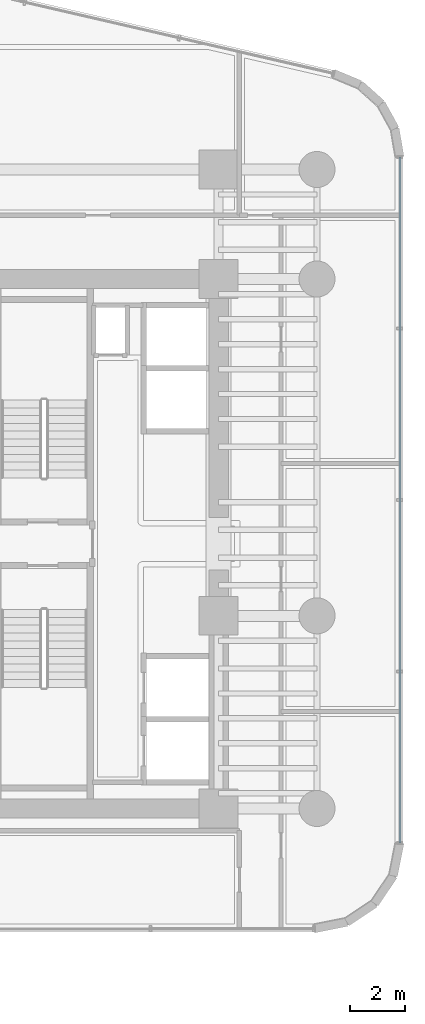
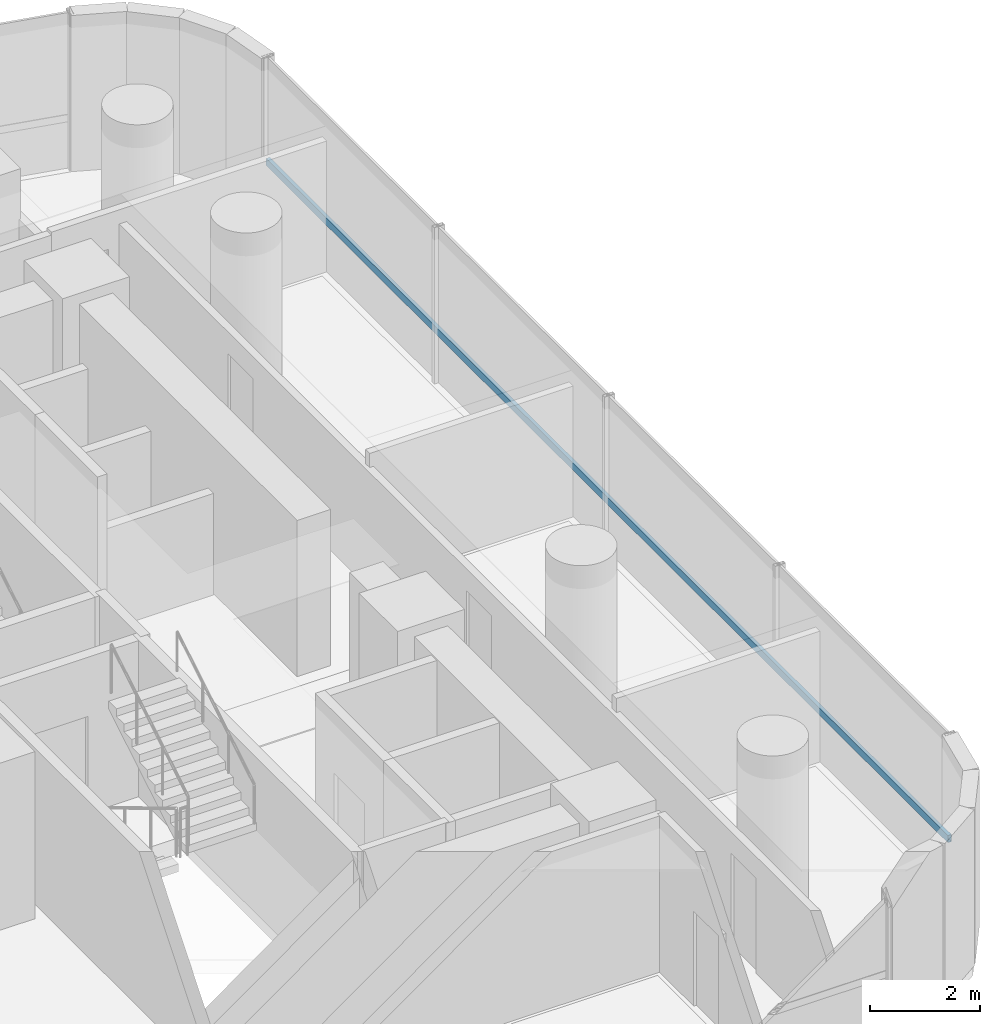
# One storey, part 26 of 39: 1 member, 1 element without a shape of its own.
"""IFC4 building model written with IfcOpenShell, lengths in metres."""

from ifc_helpers import new_model, si_unit, direction, frame, origin, origin_2d, place, context, subcontext, project, spatial, hollow_rectangle, extrude, source, transform, mapped, material, material_profile, profile_set, type_object, element, aggregate, save


model = new_model("IFC4")

# Units and contexts
model_context = context("Model", 3, precision=1e-05, world=origin(), true_north=direction((0.0, 1.0)))
body_context = subcontext(model_context, "Body", "Model", "MODEL_VIEW")
ifc_project = project(units=[si_unit("LENGTHUNIT", "METRE"), si_unit("AREAUNIT", "SQUARE_METRE"), si_unit("VOLUMEUNIT", "CUBIC_METRE"), si_unit("PLANEANGLEUNIT", "RADIAN"), si_unit("MASSUNIT", "GRAM", prefix="KILO")], contexts=[model_context])

# Site, building, storey
site_placement = place(None, origin())
site = spatial("IfcSite", under=ifc_project, at=site_placement, CompositionType="ELEMENT")
building_placement = place(site_placement, origin())
building = spatial("IfcBuilding", under=site, at=building_placement, Name="Valdorenza Pilgrim Sanctuary Tower", CompositionType="ELEMENT")
storey_placement = place(building_placement, frame((0.0, 0.0, 33.39990234375)))
storey = spatial("IfcBuildingStorey", under=building, at=storey_placement, Name="L07", CompositionType="ELEMENT", Elevation=33.39990234375)

# Curtain wall, member
ifc_material_1 = material(Name="Curtain-wall IGU glazing", Category="glass")
curtain_wall_type = type_object("IfcCurtainWallType", Name="CW-SYS-03", PredefinedType="NOTDEFINED", material=ifc_material_1)
curtain_wall_placement = place(storey_placement, origin())
curtain_wall = element("IfcCurtainWall", 1, at=curtain_wall_placement, inside=storey, type_object=curtain_wall_type, Name="L07 Curtain Wall CW-L07-1-21", PredefinedType="NOTDEFINED")
ifc_material_2 = material(Name="Anodised aluminium AW-6060", Category="aluminium")
ifc_material_profile = material_profile(ifc_material_2, hollow_rectangle(XDim=0.074951171875, YDim=0.159912109375, WallThickness=0.00390625, at=origin_2d()), Name="ALU-T 160x75x4")
ifc_profile_set = profile_set([ifc_material_profile], Name="Anodised aluminium AW-6060")
member_type = type_object("IfcMemberType", Name="CW-TRN-03", PredefinedType="USERDEFINED", material=ifc_profile_set)
shared_shape = source(origin(), body_context, "Body", "SweptSolid", [
    extrude(hollow_rectangle(XDim=0.074951171875, YDim=0.159912109375, WallThickness=0.00390625, at=origin_2d()), origin(), (0.0, 0.0, 1.0), 24.734375),
])
member_placement = place(storey_placement, frame((31.389892578125, 13.945068359375, 1.1201171875), z_axis=(0.0, -1.0, 0.0), x_axis=(1.0, 0.0, 0.0)))
member = element("IfcMember", 2, at=member_placement, type_object=member_type, Name="CW-L07-1-21 Transom 1", ObjectType="TRANSOM", PredefinedType="USERDEFINED", context=body_context, shape_type="MappedRepresentation", body=[
    mapped(shared_shape, transform((0.0, 0.0, 0.0), x_axis=(1.0, 0.0, 0.0), y_axis=(0.0, 1.0, 0.0), z_axis=(0.0, 0.0, 1.0), scale=1.0)),
])
aggregate(curtain_wall, [member])

save(model, "model.ifc")
